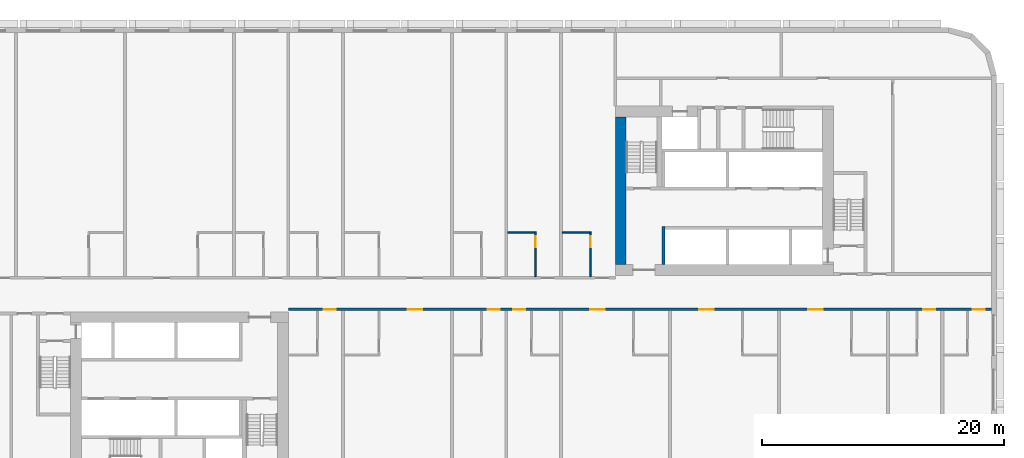
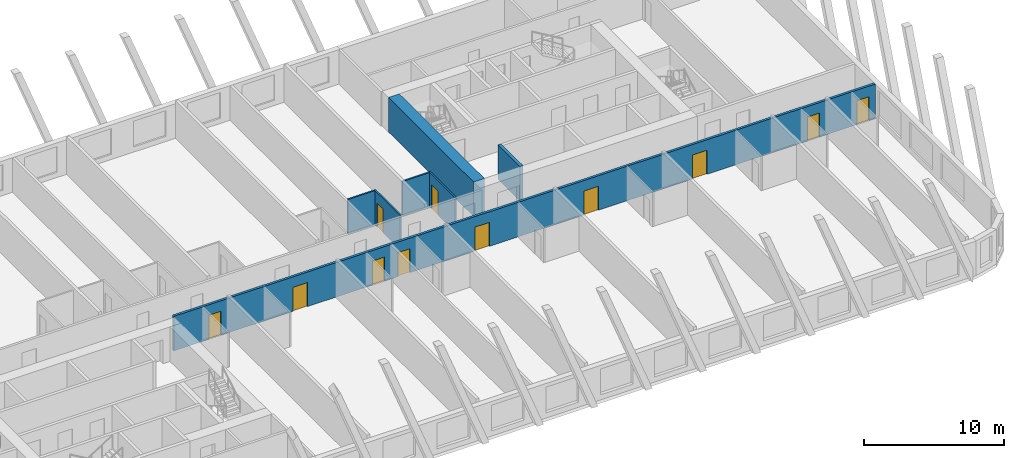
# One storey, part 5 of 13: 11 doors, 7 walls, 11 openings.
"""IFC4 building model written with IfcOpenShell, lengths in metres."""

import ifcopenshell
import ifcopenshell.guid

model = None  # the IFC model being written
_history = None  # IfcOwnerHistory: only IFC2X3 demands one
_inside = {}  # id of a spatial element -> (the spatial element, [elements in it])
_under = {}  # id of a project, library or spatial element -> (it, [spatial elements below it])
_declared = {}  # id of a project -> (the project, [libraries it declares])
_typed = {}  # id of a type object -> (the type object, [elements of that type])
_made_of = {}  # id of a material, layer set ... -> (it, [elements and type objects made of it])


def new_model(schema):
    """Start an empty IFC model of exactly this schema.

    Asked for "IFC4X3", IfcOpenShell would pick the latest addendum, in which some entities
    have other attributes; the version numbers below select the first issue.
    IFC2X3 requires an IfcOwnerHistory on every rooted entity: one is made here for all.
    """
    global model, _history
    if schema == "IFC4X3":
        model = ifcopenshell.file(schema_version=(4, 3, 0, 0))
    else:
        model = ifcopenshell.file(schema=schema)
    _inside.clear()
    _under.clear()
    _declared.clear()
    _typed.clear()
    _made_of.clear()
    _history = None
    if model.schema == "IFC2X3":
        org = make("IfcOrganization", Name="unknown")
        user = make(
            "IfcPersonAndOrganization",
            ThePerson=make("IfcPerson", FamilyName="unknown"),
            TheOrganization=org,
        )
        app = make(
            "IfcApplication",
            ApplicationDeveloper=org,
            Version="unknown",
            ApplicationFullName="unknown",
            ApplicationIdentifier="unknown",
        )
        _history = make(
            "IfcOwnerHistory",
            OwningUser=user,
            OwningApplication=app,
            ChangeAction="ADDED",
            CreationDate=0,
        )
    return model


def make(cls, **values):
    """One entity of the class cls with the attributes given. An attribute that is None is left unset."""
    return model.create_entity(
        cls, **{name: value for name, value in values.items() if value is not None}
    )


def rooted(cls, **values):
    """An entity with a GlobalId (a new one), such as an element, a storey or a relation."""
    return make(cls, GlobalId=ifcopenshell.guid.new(), OwnerHistory=_history, **values)


def si_unit(unit_type, name, prefix=None):
    """IfcSIUnit, for example si_unit("LENGTHUNIT", "METRE", prefix="MILLI")."""
    return make("IfcSIUnit", UnitType=unit_type, Prefix=prefix, Name=name)


def assignment(units):
    """IfcUnitAssignment: the units of a project."""
    return None if units is None else make("IfcUnitAssignment", Units=units)


def point(xyz):
    """IfcCartesianPoint."""
    return None if xyz is None else make("IfcCartesianPoint", Coordinates=xyz)


def direction(xyz):
    """IfcDirection."""
    return None if xyz is None else make("IfcDirection", DirectionRatios=xyz)


def frame(location, z_axis=None, x_axis=None):
    """IfcAxis2Placement3D, a coordinate frame: its origin and axes. An axis left out is left unset."""
    return make(
        "IfcAxis2Placement3D",
        Location=point(location),
        Axis=direction(z_axis),
        RefDirection=direction(x_axis),
    )


def frame_2d(location, x_axis=None):
    """IfcAxis2Placement2D, a coordinate frame in the plane: its origin and x axis."""
    return make(
        "IfcAxis2Placement2D", Location=point(location), RefDirection=direction(x_axis)
    )


def origin():
    """The frame at (0, 0, 0) with its axes left unset."""
    return frame((0.0, 0.0, 0.0))


def place(relative_to, where):
    """IfcLocalPlacement: puts the frame where relative to a parent placement (None: the world)."""
    return make(
        "IfcLocalPlacement", PlacementRelTo=relative_to, RelativePlacement=where
    )


def context(
    kind, dimensions, precision=None, world=None, true_north=None, identifier=None
):
    """IfcGeometricRepresentationContext, for example the 3D "Model" context."""
    return make(
        "IfcGeometricRepresentationContext",
        ContextIdentifier=identifier,
        ContextType=kind,
        CoordinateSpaceDimension=dimensions,
        Precision=precision,
        WorldCoordinateSystem=world,
        TrueNorth=true_north,
    )


def subcontext(parent, identifier, kind, view, scale=None):
    """IfcGeometricRepresentationSubContext, for example "Body" below "Model"."""
    return make(
        "IfcGeometricRepresentationSubContext",
        ContextIdentifier=identifier,
        ContextType=kind,
        ParentContext=parent,
        TargetScale=scale,
        TargetView=view,
    )


def project(units=None, contexts=None):
    """IfcProject with its units and contexts."""
    return rooted(
        "IfcProject",
        Name="project",
        RepresentationContexts=contexts,
        UnitsInContext=assignment(units),
    )


def spatial(cls, under=None, at=None, **own):
    """A site, building, storey or space (cls), placed at a placement, below another one or the project."""
    s = rooted(cls, ObjectPlacement=at, **own)
    if under is not None:
        _under.setdefault(under.id(), (under, []))[1].append(s)
    return s


def profile(cls, at=None, kind="AREA", **sizes):
    """A parametric profile (cls). Its sizes go by their IFC names, for example OverallWidth=200.0."""
    return make(cls, ProfileType=kind, Position=at, **sizes)


def rectangle(**sizes):
    """IfcRectangleProfileDef."""
    return profile("IfcRectangleProfileDef", **sizes)


def extrude(swept, where, along, depth):
    """IfcExtrudedAreaSolid: the profile swept, set in the frame where, extruded along a direction by depth."""
    return make(
        "IfcExtrudedAreaSolid",
        SweptArea=swept,
        Position=where,
        ExtrudedDirection=direction(along),
        Depth=depth,
    )


def shape(context_of_items, identifier, shape_type, items):
    """IfcShapeRepresentation: the items that make up one representation, for example the "Body"."""
    return make(
        "IfcShapeRepresentation",
        ContextOfItems=context_of_items,
        RepresentationIdentifier=identifier,
        RepresentationType=shape_type,
        Items=items,
    )


def material(Name=None, Category=None):
    """IfcMaterial."""
    return make("IfcMaterial", Name=Name, Category=Category)


def layer(
    of_material, thickness, ventilated=None, Name=None, Category=None, Priority=None
):
    """IfcMaterialLayer: one layer of a wall or slab, of a material (None: an air gap)."""
    return make(
        "IfcMaterialLayer",
        Material=of_material,
        LayerThickness=thickness,
        IsVentilated=ventilated,
        Name=Name,
        Category=Category,
        Priority=Priority,
    )


def layer_set(layers, Name=None):
    """IfcMaterialLayerSet."""
    return make("IfcMaterialLayerSet", MaterialLayers=layers, LayerSetName=Name)


def made_of(thing, what):
    """Note that an element or type object is made of a material, layer set ...; save() writes the relation."""
    if what is not None:
        _made_of.setdefault(what.id(), (what, []))[1].append(thing)
    return thing


def type_object(cls, material=None, **own):
    """A type object (cls), such as IfcWallType, which elements share."""
    return made_of(rooted(cls, **own), material)


def element(
    cls,
    number,
    at=None,
    inside=None,
    cuts=None,
    type_object=None,
    material=None,
    context=None,
    identifier="Body",
    shape_type=None,
    held_by="IfcProductDefinitionShape",
    body=None,
    shapes=None,
    **own,
):
    """One element of the class cls, such as IfcWall. Its Tag is "e" and its number.

    at: its placement. inside: the storey or other place that contains it. cuts: it is an
    opening in that element (IfcRelVoidsElement). A single representation is given by context,
    identifier, shape_type and body (its items); several are given by shapes. held_by: the class
    of the entity that holds the representations. save() writes the other relations.
    """
    e = rooted(cls, Tag="e%d" % number, ObjectPlacement=at, **own)
    if body is not None:
        shapes = [shape(context, identifier, shape_type, body)]
    if shapes is not None:
        e.Representation = make(held_by, Representations=shapes)
    if inside is not None:
        _inside.setdefault(inside.id(), (inside, []))[1].append(e)
    if cuts is not None:
        rooted(
            "IfcRelVoidsElement", RelatingBuildingElement=cuts, RelatedOpeningElement=e
        )
    if type_object is not None:
        _typed.setdefault(type_object.id(), (type_object, []))[1].append(e)
    return made_of(e, material)


def fill(opening, filler):
    """IfcRelFillsElement: the door or window that sits in an opening."""
    return rooted(
        "IfcRelFillsElement",
        RelatingOpeningElement=opening,
        RelatedBuildingElement=filler,
    )


def aggregate(whole, parts):
    """IfcRelAggregates: a whole, such as a stair, and the parts it consists of."""
    return rooted("IfcRelAggregates", RelatingObject=whole, RelatedObjects=parts)


def save(model, path):
    """Write the relations noted so far, then the file.

    IfcRelAggregates (storeys below a building ...), IfcRelContainedInSpatialStructure (elements
    in a storey), IfcRelDefinesByType, IfcRelAssociatesMaterial and IfcRelDeclares: one each for
    every whole, place, type object, material and project.
    """
    for whole, parts in _under.values():
        aggregate(whole, parts)
    for where, things in _inside.values():
        rooted(
            "IfcRelContainedInSpatialStructure",
            RelatedElements=things,
            RelatingStructure=where,
        )
    for kind, things in _typed.values():
        rooted("IfcRelDefinesByType", RelatedObjects=things, RelatingType=kind)
    for what, things in _made_of.values():
        rooted("IfcRelAssociatesMaterial", RelatedObjects=things, RelatingMaterial=what)
    for by, libraries in _declared.values():
        rooted("IfcRelDeclares", RelatingContext=by, RelatedDefinitions=libraries)
    model.write(path)


model = new_model("IFC4")

# Units and contexts
model_context = context("Model", 3, precision=1e-05, world=origin(), true_north=direction((0.0, 1.0)))
body_context = subcontext(model_context, "Body", "Model", "MODEL_VIEW")
ifc_project = project(units=[si_unit("LENGTHUNIT", "METRE"), si_unit("AREAUNIT", "SQUARE_METRE"), si_unit("VOLUMEUNIT", "CUBIC_METRE"), si_unit("PLANEANGLEUNIT", "RADIAN"), si_unit("MASSUNIT", "GRAM", prefix="KILO")], contexts=[model_context])

# Site, building, storey
site_placement = place(None, origin())
site = spatial("IfcSite", under=ifc_project, at=site_placement, CompositionType="ELEMENT")
building_placement = place(site_placement, origin())
building = spatial("IfcBuilding", under=site, at=building_placement, Name="Kajstack Hotel Tower", CompositionType="ELEMENT")
storey_placement = place(building_placement, frame((0.0, 0.0, 60.0)))
storey = spatial("IfcBuildingStorey", under=building, at=storey_placement, Name="L09", CompositionType="ELEMENT", Elevation=60.0)

# Wall
ifc_material_1 = material(Name="Concrete C60/75", Category="concrete")
ifc_layer_1 = layer(ifc_material_1, 0.89990234375)
ifc_layer_set_1 = layer_set([ifc_layer_1], Name="Core wall 900")
wall_type_1 = type_object("IfcWallType", Name="Core wall 900", PredefinedType="SHEAR", material=ifc_layer_set_1)
wall_1_placement = place(storey_placement, frame((13.949951171875, 2.39990234375, 0.0), z_axis=(0.0, 0.0, 1.0), x_axis=(0.0, 1.0, 0.0)))
element("IfcWall", 1, at=wall_1_placement, inside=storey, type_object=wall_type_1, Name="Core wall E RE", PredefinedType="SHEAR", context=body_context, shape_type="SweptSolid", body=[
    extrude(rectangle(XDim=12.2001953125, YDim=0.89990234375, at=frame_2d((6.10009765625, 0.0))), origin(), (0.0, 0.0, 1.0), 3.02001953125),
])

# Wall, openings, doors
ifc_material_2 = material(Name="Gypsum board on steel studs, mineral wool", Category="steel")
ifc_layer_2 = layer(ifc_material_2, 0.199951171875)
ifc_layer_set_2 = layer_set([ifc_layer_2], Name="Corridor wall 200")
wall_type_2 = type_object("IfcWallType", Name="Corridor wall 200", PredefinedType="PARTITIONING", material=ifc_layer_set_2)
wall_2_placement = place(storey_placement, frame((-13.5, -1.300048828125, 0.0), z_axis=(0.0, 0.0, 1.0), x_axis=(1.0, 0.0, 0.0)))
wall_2 = element("IfcWall", 2, at=wall_2_placement, inside=storey, type_object=wall_type_2, Name="G-wall-L09-026", PredefinedType="PARTITIONING", context=body_context, shape_type="SweptSolid", body=[
    extrude(rectangle(XDim=58.050048828125, YDim=0.199951171875, at=frame_2d((29.02490234375, 0.0))), origin(), (0.0, 0.0, 1.0), 3.02001953125),
])
opening_1_placement = place(wall_2_placement, frame((2.925048828125, 0.0, 0.0)))
opening_1 = element("IfcOpeningElement", 3, at=opening_1_placement, cuts=wall_2, Name="Opening 09021", PredefinedType="OPENING", context=body_context, shape_type="SweptSolid", body=[
    extrude(rectangle(XDim=1.0, YDim=2.10009765625, at=frame_2d((0.5, 1.050048828125))), frame((0.0, 0.10986328125, 0.0), z_axis=(0.0, -1.0, 0.0), x_axis=(1.0, 0.0, 0.0)), (0.0, 0.0, 1.0), 0.219970703125),
])
opening_2_placement = place(wall_2_placement, frame((9.863037109375, 0.0, 0.0)))
opening_2 = element("IfcOpeningElement", 4, at=opening_2_placement, cuts=wall_2, Name="Opening 09023", PredefinedType="OPENING", context=body_context, shape_type="SweptSolid", body=[
    extrude(rectangle(XDim=1.199951171875, YDim=2.10009765625, at=frame_2d((0.60009765625, 1.050048828125))), frame((0.0, 0.10986328125, 0.0), z_axis=(0.0, -1.0, 0.0), x_axis=(1.0, 0.0, 0.0)), (0.0, 0.0, 1.0), 0.219970703125),
])
opening_3_placement = place(wall_2_placement, frame((16.449951171875, 0.0, 0.0)))
opening_3 = element("IfcOpeningElement", 5, at=opening_3_placement, cuts=wall_2, Name="Opening 09025", PredefinedType="OPENING", context=body_context, shape_type="SweptSolid", body=[
    extrude(rectangle(XDim=1.0, YDim=2.10009765625, at=frame_2d((0.5, 1.050048828125))), frame((0.0, 0.10986328125, 0.0), z_axis=(0.0, -1.0, 0.0), x_axis=(1.0, 0.0, 0.0)), (0.0, 0.0, 1.0), 0.219970703125),
])
opening_4_placement = place(wall_2_placement, frame((18.550048828125, 0.0, 0.0)))
opening_4 = element("IfcOpeningElement", 6, at=opening_4_placement, cuts=wall_2, Name="Opening 09027", PredefinedType="OPENING", context=body_context, shape_type="SweptSolid", body=[
    extrude(rectangle(XDim=1.0, YDim=2.10009765625, at=frame_2d((0.5, 1.050048828125))), frame((0.0, 0.10986328125, 0.0), z_axis=(0.0, -1.0, 0.0), x_axis=(1.0, 0.0, 0.0)), (0.0, 0.0, 1.0), 0.219970703125),
])
opening_5_placement = place(wall_2_placement, frame((24.93798828125, 0.0, 0.0)))
opening_5 = element("IfcOpeningElement", 7, at=opening_5_placement, cuts=wall_2, Name="Opening 09029", PredefinedType="OPENING", context=body_context, shape_type="SweptSolid", body=[
    extrude(rectangle(XDim=1.199951171875, YDim=2.10009765625, at=frame_2d((0.60009765625, 1.050048828125))), frame((0.0, 0.10986328125, 0.0), z_axis=(0.0, -1.0, 0.0), x_axis=(1.0, 0.0, 0.0)), (0.0, 0.0, 1.0), 0.219970703125),
])
opening_6_placement = place(wall_2_placement, frame((33.93798828125, 0.0, 0.0)))
opening_6 = element("IfcOpeningElement", 8, at=opening_6_placement, cuts=wall_2, Name="Opening 09031", PredefinedType="OPENING", context=body_context, shape_type="SweptSolid", body=[
    extrude(rectangle(XDim=1.199951171875, YDim=2.10009765625, at=frame_2d((0.60009765625, 1.050048828125))), frame((0.0, 0.10986328125, 0.0), z_axis=(0.0, -1.0, 0.0), x_axis=(1.0, 0.0, 0.0)), (0.0, 0.0, 1.0), 0.219970703125),
])
opening_7_placement = place(wall_2_placement, frame((42.93798828125, 0.0, 0.0)))
opening_7 = element("IfcOpeningElement", 9, at=opening_7_placement, cuts=wall_2, Name="Opening 09033", PredefinedType="OPENING", context=body_context, shape_type="SweptSolid", body=[
    extrude(rectangle(XDim=1.199951171875, YDim=2.10009765625, at=frame_2d((0.60009765625, 1.050048828125))), frame((0.0, 0.10986328125, 0.0), z_axis=(0.0, -1.0, 0.0), x_axis=(1.0, 0.0, 0.0)), (0.0, 0.0, 1.0), 0.219970703125),
])
opening_8_placement = place(wall_2_placement, frame((52.425048828125, 0.0, 0.0)))
opening_8 = element("IfcOpeningElement", 10, at=opening_8_placement, cuts=wall_2, Name="Opening 09035", PredefinedType="OPENING", context=body_context, shape_type="SweptSolid", body=[
    extrude(rectangle(XDim=1.0, YDim=2.10009765625, at=frame_2d((0.5, 1.050048828125))), frame((0.0, 0.10986328125, 0.0), z_axis=(0.0, -1.0, 0.0), x_axis=(1.0, 0.0, 0.0)), (0.0, 0.0, 1.0), 0.219970703125),
])
opening_9_placement = place(wall_2_placement, frame((56.52490234375, 0.0, 0.0)))
opening_9 = element("IfcOpeningElement", 11, at=opening_9_placement, cuts=wall_2, Name="Opening 09037", PredefinedType="OPENING", context=body_context, shape_type="SweptSolid", body=[
    extrude(rectangle(XDim=1.0, YDim=2.10009765625, at=frame_2d((0.5, 1.050048828125))), frame((0.0, 0.10986328125, 0.0), z_axis=(0.0, -1.0, 0.0), x_axis=(1.0, 0.0, 0.0)), (0.0, 0.0, 1.0), 0.219970703125),
])
ifc_material_3 = material(Name="Oak veneer on timber core, fire-rated leaf", Category="wood")
door_type_1 = type_object("IfcDoorType", Name="Flat entrance door 1000", OperationType="SINGLE_SWING_LEFT", PredefinedType="DOOR", material=ifc_material_3)
door_1_placement = place(opening_1_placement, origin())
door_1 = element("IfcDoor", 12, at=door_1_placement, inside=storey, type_object=door_type_1, Name="G-door-L09-21", OperationType="SINGLE_SWING_RIGHT", OverallHeight=2.10009765625, OverallWidth=1.0, PredefinedType="DOOR", context=body_context, shape_type="SweptSolid", body=[
    extrude(rectangle(XDim=1.0, YDim=2.10009765625, at=frame_2d((0.5, 1.050048828125))), frame((0.0, 0.02490234375, 0.0), z_axis=(0.0, -1.0, 0.0), x_axis=(1.0, 0.0, 0.0)), (0.0, 0.0, 1.0), 0.050048828125),
])
fill(opening_1, door_1)
door_2_placement = place(opening_3_placement, origin())
door_2 = element("IfcDoor", 13, at=door_2_placement, inside=storey, type_object=door_type_1, Name="G-door-L09-25", OperationType="SINGLE_SWING_LEFT", OverallHeight=2.10009765625, OverallWidth=1.0, PredefinedType="DOOR", context=body_context, shape_type="SweptSolid", body=[
    extrude(rectangle(XDim=1.0, YDim=2.10009765625, at=frame_2d((0.5, 1.050048828125))), frame((0.0, 0.02490234375, 0.0), z_axis=(0.0, -1.0, 0.0), x_axis=(1.0, 0.0, 0.0)), (0.0, 0.0, 1.0), 0.050048828125),
])
fill(opening_3, door_2)
door_3_placement = place(opening_4_placement, origin())
door_3 = element("IfcDoor", 14, at=door_3_placement, inside=storey, type_object=door_type_1, Name="G-door-L09-27", OperationType="SINGLE_SWING_LEFT", OverallHeight=2.10009765625, OverallWidth=1.0, PredefinedType="DOOR", context=body_context, shape_type="SweptSolid", body=[
    extrude(rectangle(XDim=1.0, YDim=2.10009765625, at=frame_2d((0.5, 1.050048828125))), frame((0.0, 0.02490234375, 0.0), z_axis=(0.0, -1.0, 0.0), x_axis=(1.0, 0.0, 0.0)), (0.0, 0.0, 1.0), 0.050048828125),
])
fill(opening_4, door_3)
door_4_placement = place(opening_8_placement, origin())
door_4 = element("IfcDoor", 15, at=door_4_placement, inside=storey, type_object=door_type_1, Name="G-door-L09-35", OperationType="SINGLE_SWING_RIGHT", OverallHeight=2.10009765625, OverallWidth=1.0, PredefinedType="DOOR", context=body_context, shape_type="SweptSolid", body=[
    extrude(rectangle(XDim=1.0, YDim=2.10009765625, at=frame_2d((0.5, 1.050048828125))), frame((0.0, 0.02490234375, 0.0), z_axis=(0.0, -1.0, 0.0), x_axis=(1.0, 0.0, 0.0)), (0.0, 0.0, 1.0), 0.050048828125),
])
fill(opening_8, door_4)
door_5_placement = place(opening_9_placement, origin())
door_5 = element("IfcDoor", 16, at=door_5_placement, inside=storey, type_object=door_type_1, Name="G-door-L09-37", OperationType="SINGLE_SWING_RIGHT", OverallHeight=2.10009765625, OverallWidth=1.0, PredefinedType="DOOR", context=body_context, shape_type="SweptSolid", body=[
    extrude(rectangle(XDim=1.0, YDim=2.10009765625, at=frame_2d((0.5, 1.050048828125))), frame((0.0, 0.02490234375, 0.0), z_axis=(0.0, -1.0, 0.0), x_axis=(1.0, 0.0, 0.0)), (0.0, 0.0, 1.0), 0.050048828125),
])
fill(opening_9, door_5)
door_type_2 = type_object("IfcDoorType", Name="Flat entrance door 1200", OperationType="SINGLE_SWING_LEFT", PredefinedType="DOOR", material=ifc_material_3)
door_6_placement = place(opening_2_placement, origin())
door_6 = element("IfcDoor", 17, at=door_6_placement, inside=storey, type_object=door_type_2, Name="G-door-L09-23", OperationType="SINGLE_SWING_LEFT", OverallHeight=2.10009765625, OverallWidth=1.199951171875, PredefinedType="DOOR", context=body_context, shape_type="SweptSolid", body=[
    extrude(rectangle(XDim=1.199951171875, YDim=2.10009765625, at=frame_2d((0.60009765625, 1.050048828125))), frame((0.0, 0.02490234375, 0.0), z_axis=(0.0, -1.0, 0.0), x_axis=(1.0, 0.0, 0.0)), (0.0, 0.0, 1.0), 0.050048828125),
])
fill(opening_2, door_6)
door_7_placement = place(opening_5_placement, origin())
door_7 = element("IfcDoor", 18, at=door_7_placement, inside=storey, type_object=door_type_2, Name="G-door-L09-29", OperationType="SINGLE_SWING_RIGHT", OverallHeight=2.10009765625, OverallWidth=1.199951171875, PredefinedType="DOOR", context=body_context, shape_type="SweptSolid", body=[
    extrude(rectangle(XDim=1.199951171875, YDim=2.10009765625, at=frame_2d((0.60009765625, 1.050048828125))), frame((0.0, 0.02490234375, 0.0), z_axis=(0.0, -1.0, 0.0), x_axis=(1.0, 0.0, 0.0)), (0.0, 0.0, 1.0), 0.050048828125),
])
fill(opening_5, door_7)
door_8_placement = place(opening_6_placement, origin())
door_8 = element("IfcDoor", 19, at=door_8_placement, inside=storey, type_object=door_type_2, Name="G-door-L09-31", OperationType="SINGLE_SWING_RIGHT", OverallHeight=2.10009765625, OverallWidth=1.199951171875, PredefinedType="DOOR", context=body_context, shape_type="SweptSolid", body=[
    extrude(rectangle(XDim=1.199951171875, YDim=2.10009765625, at=frame_2d((0.60009765625, 1.050048828125))), frame((0.0, 0.02490234375, 0.0), z_axis=(0.0, -1.0, 0.0), x_axis=(1.0, 0.0, 0.0)), (0.0, 0.0, 1.0), 0.050048828125),
])
fill(opening_6, door_8)
door_9_placement = place(opening_7_placement, origin())
door_9 = element("IfcDoor", 20, at=door_9_placement, inside=storey, type_object=door_type_2, Name="G-door-L09-33", OperationType="SINGLE_SWING_RIGHT", OverallHeight=2.10009765625, OverallWidth=1.199951171875, PredefinedType="DOOR", context=body_context, shape_type="SweptSolid", body=[
    extrude(rectangle(XDim=1.199951171875, YDim=2.10009765625, at=frame_2d((0.60009765625, 1.050048828125))), frame((0.0, 0.02490234375, 0.0), z_axis=(0.0, -1.0, 0.0), x_axis=(1.0, 0.0, 0.0)), (0.0, 0.0, 1.0), 0.050048828125),
])
fill(opening_7, door_9)

# Wall, opening, door
ifc_material_4 = material(Name="Gypsum board and tiled backer on steel studs", Category="steel")
ifc_layer_3 = layer(ifc_material_4, 0.125)
ifc_layer_set_3 = layer_set([ifc_layer_3], Name="En-suite wall 125")
wall_type_3 = type_object("IfcWallType", Name="En-suite wall 125", PredefinedType="PARTITIONING", material=ifc_layer_set_3)
wall_3_placement = place(storey_placement, frame((6.912109375, 1.39990234375, 0.0), z_axis=(0.0, 0.0, 1.0), x_axis=(0.0, 1.0, 0.0)))
wall_3 = element("IfcWall", 21, at=wall_3_placement, inside=storey, type_object=wall_type_3, Name="G-wall-L09-022", PredefinedType="PARTITIONING", context=body_context, shape_type="SweptSolid", body=[
    extrude(rectangle(XDim=3.72509765625, YDim=0.125, at=frame_2d((1.862548828125, 0.0))), origin(), (0.0, 0.0, 1.0), 3.02001953125),
])
opening_10_placement = place(wall_3_placement, frame((2.449951171875, 0.0, 0.0)))
opening_10 = element("IfcOpeningElement", 22, at=opening_10_placement, cuts=wall_3, Name="Opening 09018", PredefinedType="OPENING", context=body_context, shape_type="SweptSolid", body=[
    extrude(rectangle(XDim=0.89990234375, YDim=2.10009765625, at=frame_2d((0.449951171875, 1.050048828125))), frame((0.0, 0.072509765625, 0.0), z_axis=(0.0, -1.0, 0.0), x_axis=(1.0, 0.0, 0.0)), (0.0, 0.0, 1.0), 0.14501953125),
])
ifc_material_5 = material(Name="Painted timber door leaf", Category="wood")
door_type_3 = type_object("IfcDoorType", Name="Room door 900", OperationType="SINGLE_SWING_LEFT", PredefinedType="DOOR", material=ifc_material_5)
door_10_placement = place(opening_10_placement, origin())
door_10 = element("IfcDoor", 23, at=door_10_placement, inside=storey, type_object=door_type_3, Name="G-door-L09-18", OperationType="SINGLE_SWING_RIGHT", OverallHeight=2.10009765625, OverallWidth=0.89990234375, PredefinedType="DOOR", context=body_context, shape_type="SweptSolid", body=[
    extrude(rectangle(XDim=0.89990234375, YDim=2.10009765625, at=frame_2d((0.449951171875, 1.050048828125))), frame((0.0, 0.02490234375, 0.0), z_axis=(0.0, -1.0, 0.0), x_axis=(1.0, 0.0, 0.0)), (0.0, 0.0, 1.0), 0.050048828125),
])
fill(opening_10, door_10)

# Wall
wall_4_placement = place(storey_placement, frame((4.60009765625, 5.06201171875, 0.0), z_axis=(0.0, 0.0, 1.0), x_axis=(1.0, 0.0, 0.0)))
element("IfcWall", 24, at=wall_4_placement, inside=storey, type_object=wall_type_3, Name="G-wall-L09-023", PredefinedType="PARTITIONING", context=body_context, shape_type="SweptSolid", body=[
    extrude(rectangle(XDim=2.25, YDim=0.125, at=frame_2d((1.125, 0.0))), origin(), (0.0, 0.0, 1.0), 3.02001953125),
])

# Wall, opening, door
wall_5_placement = place(storey_placement, frame((11.43798828125, 1.39990234375, 0.0), z_axis=(0.0, 0.0, 1.0), x_axis=(0.0, 1.0, 0.0)))
wall_5 = element("IfcWall", 25, at=wall_5_placement, inside=storey, type_object=wall_type_3, Name="G-wall-L09-024", PredefinedType="PARTITIONING", context=body_context, shape_type="SweptSolid", body=[
    extrude(rectangle(XDim=3.72509765625, YDim=0.125, at=frame_2d((1.862548828125, 0.0))), origin(), (0.0, 0.0, 1.0), 3.02001953125),
])
opening_11_placement = place(wall_5_placement, frame((2.449951171875, 0.0, 0.0)))
opening_11 = element("IfcOpeningElement", 26, at=opening_11_placement, cuts=wall_5, Name="Opening 09020", PredefinedType="OPENING", context=body_context, shape_type="SweptSolid", body=[
    extrude(rectangle(XDim=0.89990234375, YDim=2.10009765625, at=frame_2d((0.449951171875, 1.050048828125))), frame((0.0, 0.072509765625, 0.0), z_axis=(0.0, -1.0, 0.0), x_axis=(1.0, 0.0, 0.0)), (0.0, 0.0, 1.0), 0.14501953125),
])
door_11_placement = place(opening_11_placement, origin())
door_11 = element("IfcDoor", 27, at=door_11_placement, inside=storey, type_object=door_type_3, Name="G-door-L09-20", OperationType="SINGLE_SWING_LEFT", OverallHeight=2.10009765625, OverallWidth=0.89990234375, PredefinedType="DOOR", context=body_context, shape_type="SweptSolid", body=[
    extrude(rectangle(XDim=0.89990234375, YDim=2.10009765625, at=frame_2d((0.449951171875, 1.050048828125))), frame((0.0, 0.02490234375, 0.0), z_axis=(0.0, -1.0, 0.0), x_axis=(1.0, 0.0, 0.0)), (0.0, 0.0, 1.0), 0.050048828125),
])
fill(opening_11, door_11)

# Walls
wall_6_placement = place(storey_placement, frame((9.125, 5.06201171875, 0.0), z_axis=(0.0, 0.0, 1.0), x_axis=(1.0, 0.0, 0.0)))
element("IfcWall", 28, at=wall_6_placement, inside=storey, type_object=wall_type_3, Name="G-wall-L09-025", PredefinedType="PARTITIONING", context=body_context, shape_type="SweptSolid", body=[
    extrude(rectangle(XDim=2.25, YDim=0.125, at=frame_2d((1.125, 0.0))), origin(), (0.0, 0.0, 1.0), 3.02001953125),
])
ifc_material_6 = material(Name="Concrete C50/60", Category="concrete")
ifc_layer_4 = layer(ifc_material_6, 0.25)
ifc_layer_set_4 = layer_set([ifc_layer_4], Name="Shaft wall 250")
wall_type_4 = type_object("IfcWallType", Name="Shaft wall 250", PredefinedType="SHEAR", material=ifc_layer_set_4)
wall_7_placement = place(storey_placement, frame((17.47509765625, 2.39990234375, 0.0), z_axis=(0.0, 0.0, 1.0), x_axis=(0.0, 1.0, 0.0)))
element("IfcWall", 29, at=wall_7_placement, inside=storey, type_object=wall_type_4, Name="Core wall E AE", PredefinedType="SHEAR", context=body_context, shape_type="SweptSolid", body=[
    extrude(rectangle(XDim=3.150146484375, YDim=0.25, at=frame_2d((1.5751953125, 0.0))), origin(), (0.0, 0.0, 1.0), 3.02001953125),
])

save(model, "model.ifc")
